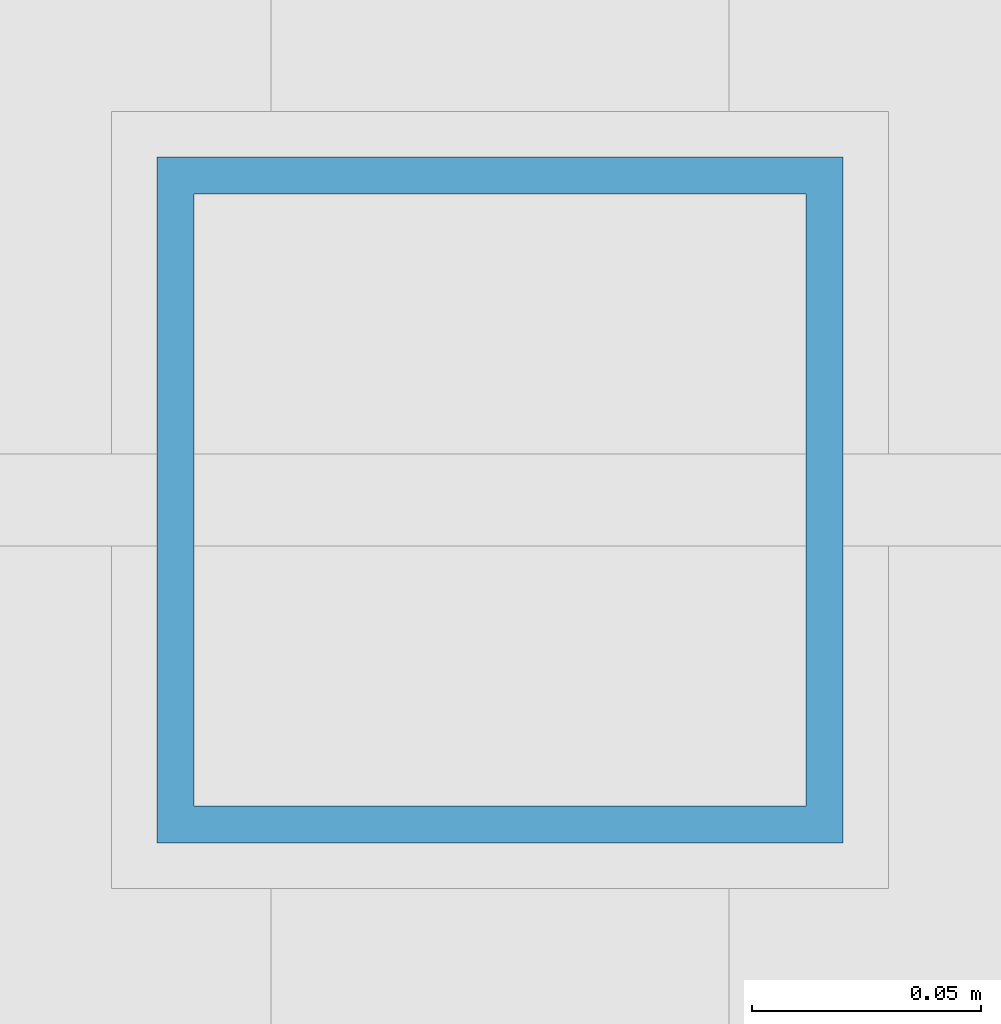
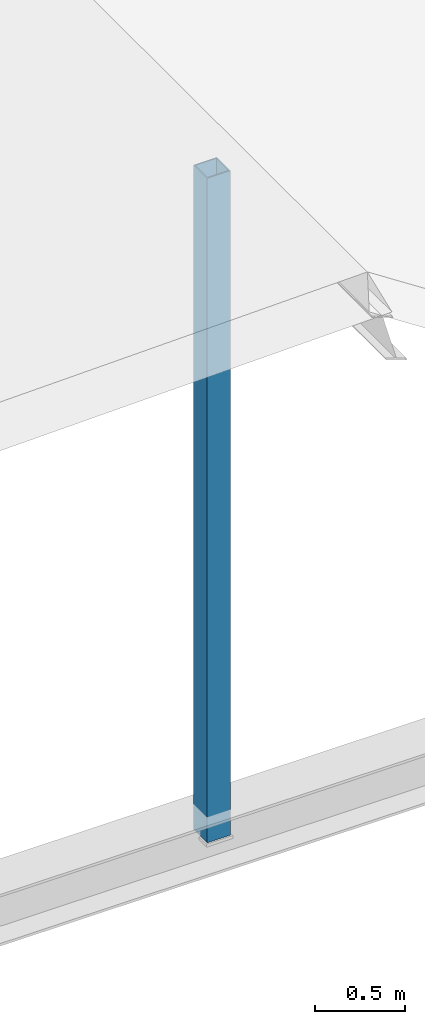
# One storey, part 63 of 204: 1 member.
"""IFC4 building model written with IfcOpenShell, lengths in metres."""

import ifcopenshell
import ifcopenshell.guid

model = None  # the IFC model being written
_history = None  # IfcOwnerHistory: only IFC2X3 demands one
_inside = {}  # id of a spatial element -> (the spatial element, [elements in it])
_under = {}  # id of a project, library or spatial element -> (it, [spatial elements below it])
_declared = {}  # id of a project -> (the project, [libraries it declares])
_typed = {}  # id of a type object -> (the type object, [elements of that type])
_made_of = {}  # id of a material, layer set ... -> (it, [elements and type objects made of it])


def new_model(schema):
    """Start an empty IFC model of exactly this schema.

    Asked for "IFC4X3", IfcOpenShell would pick the latest addendum, in which some entities
    have other attributes; the version numbers below select the first issue.
    IFC2X3 requires an IfcOwnerHistory on every rooted entity: one is made here for all.
    """
    global model, _history
    if schema == "IFC4X3":
        model = ifcopenshell.file(schema_version=(4, 3, 0, 0))
    else:
        model = ifcopenshell.file(schema=schema)
    _inside.clear()
    _under.clear()
    _declared.clear()
    _typed.clear()
    _made_of.clear()
    _history = None
    if model.schema == "IFC2X3":
        org = make("IfcOrganization", Name="unknown")
        user = make(
            "IfcPersonAndOrganization",
            ThePerson=make("IfcPerson", FamilyName="unknown"),
            TheOrganization=org,
        )
        app = make(
            "IfcApplication",
            ApplicationDeveloper=org,
            Version="unknown",
            ApplicationFullName="unknown",
            ApplicationIdentifier="unknown",
        )
        _history = make(
            "IfcOwnerHistory",
            OwningUser=user,
            OwningApplication=app,
            ChangeAction="ADDED",
            CreationDate=0,
        )
    return model


def make(cls, **values):
    """One entity of the class cls with the attributes given. An attribute that is None is left unset."""
    return model.create_entity(
        cls, **{name: value for name, value in values.items() if value is not None}
    )


def rooted(cls, **values):
    """An entity with a GlobalId (a new one), such as an element, a storey or a relation."""
    return make(cls, GlobalId=ifcopenshell.guid.new(), OwnerHistory=_history, **values)


def si_unit(unit_type, name, prefix=None):
    """IfcSIUnit, for example si_unit("LENGTHUNIT", "METRE", prefix="MILLI")."""
    return make("IfcSIUnit", UnitType=unit_type, Prefix=prefix, Name=name)


def assignment(units):
    """IfcUnitAssignment: the units of a project."""
    return None if units is None else make("IfcUnitAssignment", Units=units)


def point(xyz):
    """IfcCartesianPoint."""
    return None if xyz is None else make("IfcCartesianPoint", Coordinates=xyz)


def direction(xyz):
    """IfcDirection."""
    return None if xyz is None else make("IfcDirection", DirectionRatios=xyz)


def frame(location, z_axis=None, x_axis=None):
    """IfcAxis2Placement3D, a coordinate frame: its origin and axes. An axis left out is left unset."""
    return make(
        "IfcAxis2Placement3D",
        Location=point(location),
        Axis=direction(z_axis),
        RefDirection=direction(x_axis),
    )


def frame_2d(location, x_axis=None):
    """IfcAxis2Placement2D, a coordinate frame in the plane: its origin and x axis."""
    return make(
        "IfcAxis2Placement2D", Location=point(location), RefDirection=direction(x_axis)
    )


def origin():
    """The frame at (0, 0, 0) with its axes left unset."""
    return frame((0.0, 0.0, 0.0))


def origin_2d():
    """The frame at (0, 0) in the plane with its x axis left unset."""
    return frame_2d((0.0, 0.0))


def place(relative_to, where):
    """IfcLocalPlacement: puts the frame where relative to a parent placement (None: the world)."""
    return make(
        "IfcLocalPlacement", PlacementRelTo=relative_to, RelativePlacement=where
    )


def context(
    kind, dimensions, precision=None, world=None, true_north=None, identifier=None
):
    """IfcGeometricRepresentationContext, for example the 3D "Model" context."""
    return make(
        "IfcGeometricRepresentationContext",
        ContextIdentifier=identifier,
        ContextType=kind,
        CoordinateSpaceDimension=dimensions,
        Precision=precision,
        WorldCoordinateSystem=world,
        TrueNorth=true_north,
    )


def subcontext(parent, identifier, kind, view, scale=None):
    """IfcGeometricRepresentationSubContext, for example "Body" below "Model"."""
    return make(
        "IfcGeometricRepresentationSubContext",
        ContextIdentifier=identifier,
        ContextType=kind,
        ParentContext=parent,
        TargetScale=scale,
        TargetView=view,
    )


def project(units=None, contexts=None):
    """IfcProject with its units and contexts."""
    return rooted(
        "IfcProject",
        Name="project",
        RepresentationContexts=contexts,
        UnitsInContext=assignment(units),
    )


def spatial(cls, under=None, at=None, **own):
    """A site, building, storey or space (cls), placed at a placement, below another one or the project."""
    s = rooted(cls, ObjectPlacement=at, **own)
    if under is not None:
        _under.setdefault(under.id(), (under, []))[1].append(s)
    return s


def profile(cls, at=None, kind="AREA", **sizes):
    """A parametric profile (cls). Its sizes go by their IFC names, for example OverallWidth=200.0."""
    return make(cls, ProfileType=kind, Position=at, **sizes)


def hollow_rectangle(**sizes):
    """IfcRectangleHollowProfileDef."""
    return profile("IfcRectangleHollowProfileDef", **sizes)


def extrude(swept, where, along, depth):
    """IfcExtrudedAreaSolid: the profile swept, set in the frame where, extruded along a direction by depth."""
    return make(
        "IfcExtrudedAreaSolid",
        SweptArea=swept,
        Position=where,
        ExtrudedDirection=direction(along),
        Depth=depth,
    )


def shape(context_of_items, identifier, shape_type, items):
    """IfcShapeRepresentation: the items that make up one representation, for example the "Body"."""
    return make(
        "IfcShapeRepresentation",
        ContextOfItems=context_of_items,
        RepresentationIdentifier=identifier,
        RepresentationType=shape_type,
        Items=items,
    )


def material(Name=None, Category=None):
    """IfcMaterial."""
    return make("IfcMaterial", Name=Name, Category=Category)


def material_profile(
    of_material, cross_section, Name=None, Category=None, Priority=None
):
    """IfcMaterialProfile: a cross section and its material."""
    return make(
        "IfcMaterialProfile",
        Name=Name,
        Material=of_material,
        Profile=cross_section,
        Priority=Priority,
        Category=Category,
    )


def profile_set(profiles, Name=None, composite=None):
    """IfcMaterialProfileSet."""
    return make(
        "IfcMaterialProfileSet",
        Name=Name,
        MaterialProfiles=profiles,
        CompositeProfile=composite,
    )


def made_of(thing, what):
    """Note that an element or type object is made of a material, layer set ...; save() writes the relation."""
    if what is not None:
        _made_of.setdefault(what.id(), (what, []))[1].append(thing)
    return thing


def type_object(cls, material=None, **own):
    """A type object (cls), such as IfcWallType, which elements share."""
    return made_of(rooted(cls, **own), material)


def element(
    cls,
    number,
    at=None,
    inside=None,
    cuts=None,
    type_object=None,
    material=None,
    context=None,
    identifier="Body",
    shape_type=None,
    held_by="IfcProductDefinitionShape",
    body=None,
    shapes=None,
    **own,
):
    """One element of the class cls, such as IfcWall. Its Tag is "e" and its number.

    at: its placement. inside: the storey or other place that contains it. cuts: it is an
    opening in that element (IfcRelVoidsElement). A single representation is given by context,
    identifier, shape_type and body (its items); several are given by shapes. held_by: the class
    of the entity that holds the representations. save() writes the other relations.
    """
    e = rooted(cls, Tag="e%d" % number, ObjectPlacement=at, **own)
    if body is not None:
        shapes = [shape(context, identifier, shape_type, body)]
    if shapes is not None:
        e.Representation = make(held_by, Representations=shapes)
    if inside is not None:
        _inside.setdefault(inside.id(), (inside, []))[1].append(e)
    if cuts is not None:
        rooted(
            "IfcRelVoidsElement", RelatingBuildingElement=cuts, RelatedOpeningElement=e
        )
    if type_object is not None:
        _typed.setdefault(type_object.id(), (type_object, []))[1].append(e)
    return made_of(e, material)


def aggregate(whole, parts):
    """IfcRelAggregates: a whole, such as a stair, and the parts it consists of."""
    return rooted("IfcRelAggregates", RelatingObject=whole, RelatedObjects=parts)


def save(model, path):
    """Write the relations noted so far, then the file.

    IfcRelAggregates (storeys below a building ...), IfcRelContainedInSpatialStructure (elements
    in a storey), IfcRelDefinesByType, IfcRelAssociatesMaterial and IfcRelDeclares: one each for
    every whole, place, type object, material and project.
    """
    for whole, parts in _under.values():
        aggregate(whole, parts)
    for where, things in _inside.values():
        rooted(
            "IfcRelContainedInSpatialStructure",
            RelatedElements=things,
            RelatingStructure=where,
        )
    for kind, things in _typed.values():
        rooted("IfcRelDefinesByType", RelatedObjects=things, RelatingType=kind)
    for what, things in _made_of.values():
        rooted("IfcRelAssociatesMaterial", RelatedObjects=things, RelatingMaterial=what)
    for by, libraries in _declared.values():
        rooted("IfcRelDeclares", RelatingContext=by, RelatedDefinitions=libraries)
    model.write(path)


model = new_model("IFC4")

# Units and contexts
model_context = context("Model", 3, precision=1e-05, world=origin(), true_north=direction((0.0, 1.0)))
body_context = subcontext(model_context, "Body", "Model", "MODEL_VIEW")
ifc_project = project(units=[si_unit("LENGTHUNIT", "METRE"), si_unit("AREAUNIT", "SQUARE_METRE"), si_unit("VOLUMEUNIT", "CUBIC_METRE"), si_unit("PLANEANGLEUNIT", "RADIAN"), si_unit("MASSUNIT", "GRAM", prefix="KILO")], contexts=[model_context])

# Site, building, storey
site_placement = place(None, origin())
site = spatial("IfcSite", under=ifc_project, at=site_placement, CompositionType="ELEMENT")
building_placement = place(site_placement, origin())
building = spatial("IfcBuilding", under=site, at=building_placement, Name="Zilviju Railside Exhibition Hall", CompositionType="ELEMENT")
storey_placement = place(building_placement, frame((0.0, 0.0, 21.0)))
storey = spatial("IfcBuildingStorey", under=building, at=storey_placement, Name="RF", CompositionType="ELEMENT", Elevation=21.0)

# Member
ifc_material = material(Name="Steel S355J2", Category="steel")
ifc_material_profile = material_profile(ifc_material, hollow_rectangle(XDim=0.14990234375, YDim=0.14990234375, WallThickness=0.008056640625, at=origin_2d()), Name="SHS 150x150x8.0")
ifc_profile_set = profile_set([ifc_material_profile], Name="Steel S355J2")
member_type = type_object("IfcMemberType", Name="TR-POST-SHS150", PredefinedType="POST", material=ifc_profile_set)
member_placement = place(storey_placement, frame((63.0, 102.0, -8.39990234375), z_axis=(0.0, 0.0, 1.0), x_axis=(1.0, 0.0, 0.0)))
element("IfcMember", 1, at=member_placement, inside=storey, type_object=member_type, Name="Concourse Saddle King Post Y=102.0", PredefinedType="POST", context=body_context, shape_type="SweptSolid", body=[
    extrude(hollow_rectangle(XDim=0.14990234375, YDim=0.14990234375, WallThickness=0.008056640625, at=origin_2d()), origin(), (0.0, 0.0, 1.0), 4.5),
])

save(model, "model.ifc")
